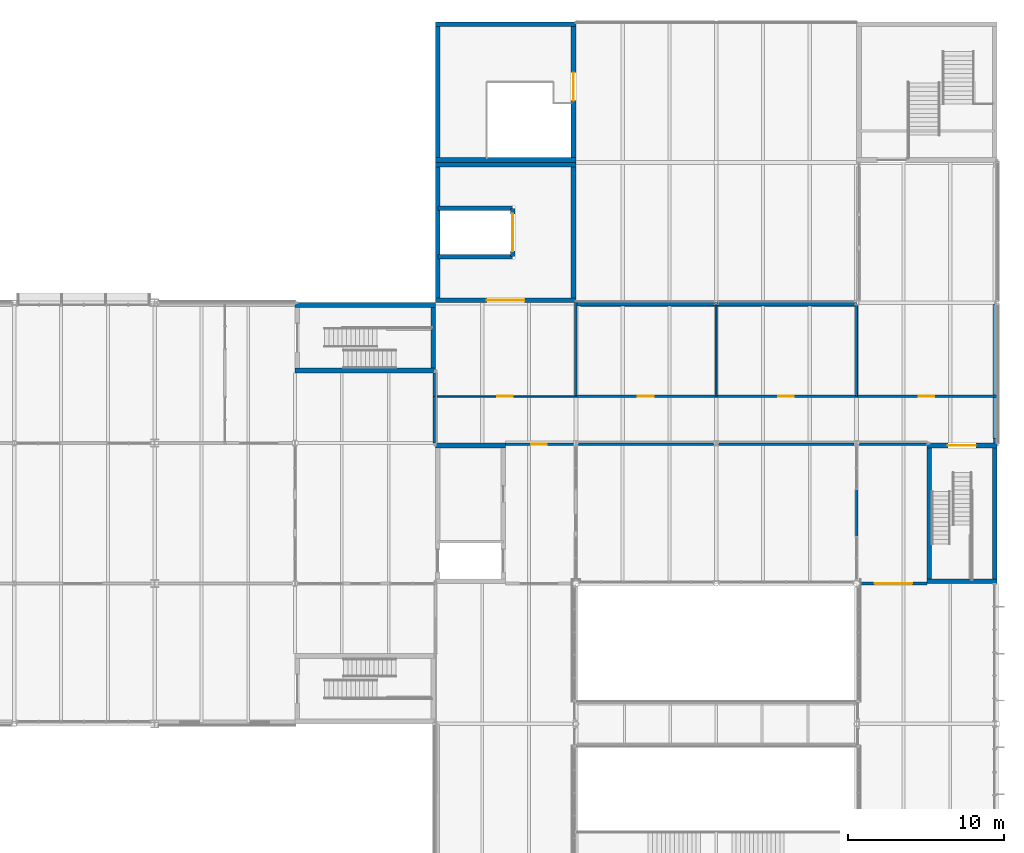
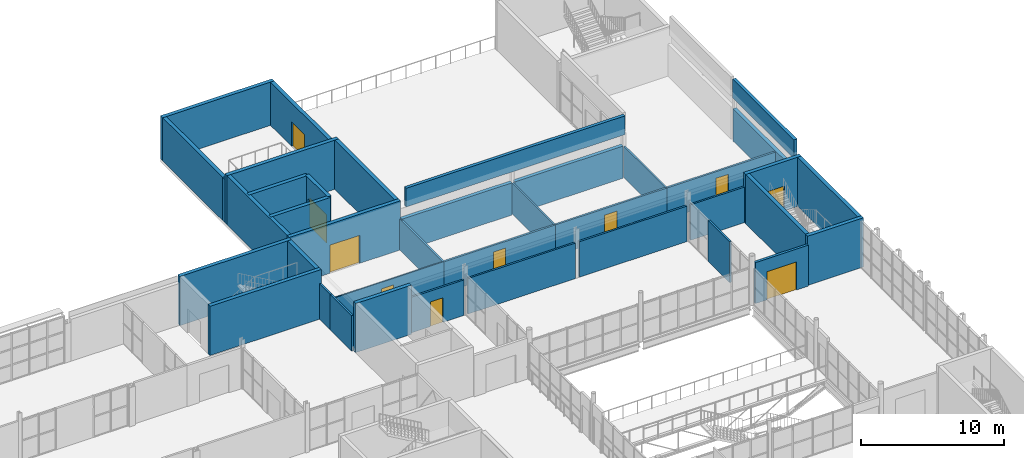
# One storey, part 44 of 61: 39 walls, 10 doors, 10 openings.
"""IFC4 building model written with IfcOpenShell, lengths in metres."""

from ifc_helpers import new_model, si_unit, direction, frame, frame_2d, origin, place, context, subcontext, project, spatial, rectangle, extrude, material, layer, layer_set, type_object, element, fill, save


model = new_model("IFC4")

# Units and contexts
model_context = context("Model", 3, precision=1e-05, world=origin(), true_north=direction((0.0, 1.0)))
body_context = subcontext(model_context, "Body", "Model", "MODEL_VIEW")
ifc_project = project(units=[si_unit("LENGTHUNIT", "METRE"), si_unit("AREAUNIT", "SQUARE_METRE"), si_unit("VOLUMEUNIT", "CUBIC_METRE"), si_unit("PLANEANGLEUNIT", "RADIAN"), si_unit("MASSUNIT", "GRAM", prefix="KILO")], contexts=[model_context])

# Site, building, storey
site_placement = place(None, origin())
site = spatial("IfcSite", under=ifc_project, at=site_placement, CompositionType="ELEMENT")
building_placement = place(site_placement, origin())
building = spatial("IfcBuilding", under=site, at=building_placement, Name="Halyard Row Museum", CompositionType="ELEMENT")
storey_placement = place(building_placement, frame((0.0, 0.0, 9.199951171875)))
storey = spatial("IfcBuildingStorey", under=building, at=storey_placement, Name="L02", CompositionType="ELEMENT", Elevation=9.199951171875)

# Walls
ifc_material_1 = material(Name="Fire-resisting plasterboard on steel studs", Category="steel")
ifc_layer_1 = layer(ifc_material_1, 0.14990234375)
ifc_layer_set_1 = layer_set([ifc_layer_1], Name="Fire-resisting plasterboard on steel studs")
wall_type_1 = type_object("IfcWallType", Name="Compartment wall 150 fire rated", PredefinedType="PARTITIONING", material=ifc_layer_set_1)
wall_1_placement = place(storey_placement, frame((71.925048828125, 36.0, 0.0), z_axis=(0.0, 0.0, 1.0), x_axis=(0.0, 1.0, 0.0)))
element("IfcWall", 1, at=wall_1_placement, inside=storey, type_object=wall_type_1, Name="Partition Lift Lobby L02 West / Service Corridor L02", PredefinedType="PARTITIONING", context=body_context, shape_type="SweptSolid", body=[
    extrude(rectangle(XDim=3.0, YDim=0.14990234375, at=frame_2d((1.5, 0.0))), origin(), (0.0, 0.0, 1.0), 3.03515625),
])
wall_2_placement = place(storey_placement, frame((71.925048828125, 39.0, 0.0), z_axis=(0.0, 0.0, 1.0), x_axis=(0.0, 1.0, 0.0)))
element("IfcWall", 2, at=wall_2_placement, inside=storey, type_object=wall_type_1, Name="Partition Lift Lobby L02 West / Goods Lobby L02", PredefinedType="PARTITIONING", context=body_context, shape_type="SweptSolid", body=[
    extrude(rectangle(XDim=1.5, YDim=0.14990234375, at=frame_2d((0.75, 0.0))), origin(), (0.0, 0.0, 1.0), 3.03515625),
])

# Wall, opening, door
wall_3_placement = place(storey_placement, frame((76.5, 35.925048828125, 0.0), z_axis=(0.0, 0.0, 1.0), x_axis=(1.0, 0.0, 0.0)))
wall_3 = element("IfcWall", 3, at=wall_3_placement, inside=storey, type_object=wall_type_1, Name="Partition Lift Lobby L02 East / Service Corridor L02", PredefinedType="PARTITIONING", context=body_context, shape_type="SweptSolid", body=[
    extrude(rectangle(XDim=4.345458984375, YDim=0.14990234375, at=frame_2d((2.1728515625, 0.0))), origin(), (0.0, 0.0, 1.0), 3.03515625),
])
opening_1_placement = place(wall_3_placement, frame((1.641357421875, 0.0, 0.0)))
opening_1 = element("IfcOpeningElement", 4, at=opening_1_placement, cuts=wall_3, Name="Opening DL02-024", PredefinedType="OPENING", context=body_context, shape_type="SweptSolid", body=[
    extrude(rectangle(XDim=1.0, YDim=2.10009765625, at=frame_2d((0.5, 1.050048828125))), frame((0.0, 0.0849609375, 0.0), z_axis=(0.0, -1.0, 0.0), x_axis=(1.0, 0.0, 0.0)), (0.0, 0.0, 1.0), 0.169921875),
])
ifc_material_2 = material(Name="Fire-resisting timber door leaf and steel frame", Category="steel")
door_type_1 = type_object("IfcDoorType", Name="Compartment door 1000 x 2100 fire rated", OperationType="NOTDEFINED", PredefinedType="DOOR", material=ifc_material_2)
door_1_placement = place(opening_1_placement, origin())
door_1 = element("IfcDoor", 5, at=door_1_placement, inside=storey, type_object=door_type_1, Name="Door Lift Lobby L02 East to Service Corridor L02", OperationType="SINGLE_SWING_RIGHT", OverallHeight=2.10009765625, OverallWidth=1.0, PredefinedType="DOOR", context=body_context, shape_type="SweptSolid", body=[
    extrude(rectangle(XDim=1.0, YDim=2.10009765625, at=frame_2d((0.5, 1.050048828125))), frame((0.0, 0.02490234375, 0.0), z_axis=(0.0, -1.0, 0.0), x_axis=(1.0, 0.0, 0.0)), (0.0, 0.0, 1.0), 0.050048828125),
])
fill(opening_1, door_1)

# Walls
wall_4_placement = place(storey_placement, frame((99.0, 30.021484375, 0.0), z_axis=(0.0, 0.0, 1.0), x_axis=(0.0, 1.0, 0.0)))
element("IfcWall", 6, at=wall_4_placement, inside=storey, type_object=wall_type_1, Name="Partition Digitisation Laboratory / Stair Lobby K2C L02", PredefinedType="PARTITIONING", context=body_context, shape_type="SweptSolid", body=[
    extrude(rectangle(XDim=3.0, YDim=0.14990234375, at=frame_2d((1.5, 0.0))), origin(), (0.0, 0.0, 1.0), 3.501953125),
])
for number, where, z_axis, x_axis, name in (
    (7, (81.154541015625, 35.925048828125, 0.0), (0.0, 0.0, 1.0), (1.0, 0.0, 0.0), "Partition Digitisation Laboratory / Service Corridor L02"),
    (8, (90.152587890625, 35.925048828125, 0.0), (0.0, 0.0, 1.0), (1.0, 0.0, 0.0), "Partition Digitisation Laboratory / Service Corridor L02"),
):
    element("IfcWall", number, at=place(storey_placement, frame(where, z_axis=z_axis, x_axis=x_axis)), inside=storey, type_object=wall_type_1, Name=name, PredefinedType="PARTITIONING", context=body_context, shape_type="SweptSolid", body=[
        extrude(rectangle(XDim=8.69287109375, YDim=0.14990234375, at=frame_2d((4.346435546875, 0.0))), origin(), (0.0, 0.0, 1.0), 3.03515625),
    ])
wall_5_placement = place(storey_placement, frame((99.154541015625, 35.925048828125, 0.0), z_axis=(0.0, 0.0, 1.0), x_axis=(1.0, 0.0, 0.0)))
element("IfcWall", 9, at=wall_5_placement, inside=storey, type_object=wall_type_1, Name="Partition Stair Lobby K2C L02 / Service Corridor L02", PredefinedType="PARTITIONING", context=body_context, shape_type="SweptSolid", body=[
    extrude(rectangle(XDim=4.345458984375, YDim=0.14990234375, at=frame_2d((2.1728515625, 0.0))), origin(), (0.0, 0.0, 1.0), 3.03515625),
])

# Wall, opening, door
wall_6_placement = place(storey_placement, frame((81.0, 39.0, 0.0), z_axis=(0.0, 0.0, 1.0), x_axis=(1.0, 0.0, 0.0)))
wall_6 = element("IfcWall", 10, at=wall_6_placement, inside=storey, type_object=wall_type_1, Name="Partition Service Corridor L02 / Staff Room", PredefinedType="PARTITIONING", context=body_context, shape_type="SweptSolid", body=[
    extrude(rectangle(XDim=9.0, YDim=0.14990234375, at=frame_2d((4.5, 0.0))), origin(), (0.0, 0.0, 1.0), 2.657958984375),
])
opening_2_placement = place(wall_6_placement, frame((3.985107421875, 0.0, 0.0)))
opening_2 = element("IfcOpeningElement", 11, at=opening_2_placement, cuts=wall_6, Name="Opening DL02-031", PredefinedType="OPENING", context=body_context, shape_type="SweptSolid", body=[
    extrude(rectangle(XDim=1.0, YDim=2.10009765625, at=frame_2d((0.5, 1.050048828125))), frame((0.0, 0.0849609375, 0.0), z_axis=(0.0, -1.0, 0.0), x_axis=(1.0, 0.0, 0.0)), (0.0, 0.0, 1.0), 0.169921875),
])
door_2_placement = place(opening_2_placement, origin())
door_2 = element("IfcDoor", 12, at=door_2_placement, inside=storey, type_object=door_type_1, Name="Door Staff Room to Service Corridor L02", OperationType="SINGLE_SWING_LEFT", OverallHeight=2.10009765625, OverallWidth=1.0, PredefinedType="DOOR", context=body_context, shape_type="SweptSolid", body=[
    extrude(rectangle(XDim=1.0, YDim=2.10009765625, at=frame_2d((0.5, 1.050048828125))), frame((0.0, 0.02490234375, 0.0), z_axis=(0.0, -1.0, 0.0), x_axis=(1.0, 0.0, 0.0)), (0.0, 0.0, 1.0), 0.050048828125),
])
fill(opening_2, door_2)

wall_7_placement = place(storey_placement, frame((90.0, 39.0, 0.0), z_axis=(0.0, 0.0, 1.0), x_axis=(1.0, 0.0, 0.0)))
wall_7 = element("IfcWall", 13, at=wall_7_placement, inside=storey, type_object=wall_type_1, Name="Partition Service Corridor L02 / Collections Care Offices", PredefinedType="PARTITIONING", context=body_context, shape_type="SweptSolid", body=[
    extrude(rectangle(XDim=9.0, YDim=0.14990234375, at=frame_2d((4.5, 0.0))), origin(), (0.0, 0.0, 1.0), 2.657958984375),
])
opening_3_placement = place(wall_7_placement, frame((3.985107421875, 0.0, 0.0)))
opening_3 = element("IfcOpeningElement", 14, at=opening_3_placement, cuts=wall_7, Name="Opening DL02-032", PredefinedType="OPENING", context=body_context, shape_type="SweptSolid", body=[
    extrude(rectangle(XDim=1.0, YDim=2.10009765625, at=frame_2d((0.5, 1.050048828125))), frame((0.0, 0.0849609375, 0.0), z_axis=(0.0, -1.0, 0.0), x_axis=(1.0, 0.0, 0.0)), (0.0, 0.0, 1.0), 0.169921875),
])
door_3_placement = place(opening_3_placement, origin())
door_3 = element("IfcDoor", 15, at=door_3_placement, inside=storey, type_object=door_type_1, Name="Door Collections Care Offices to Service Corridor L02", OperationType="SINGLE_SWING_RIGHT", OverallHeight=2.10009765625, OverallWidth=1.0, PredefinedType="DOOR", context=body_context, shape_type="SweptSolid", body=[
    extrude(rectangle(XDim=1.0, YDim=2.10009765625, at=frame_2d((0.5, 1.050048828125))), frame((0.0, 0.02490234375, 0.0), z_axis=(0.0, -1.0, 0.0), x_axis=(1.0, 0.0, 0.0)), (0.0, 0.0, 1.0), 0.050048828125),
])
fill(opening_3, door_3)

wall_8_placement = place(storey_placement, frame((99.0, 39.0, 0.0), z_axis=(0.0, 0.0, 1.0), x_axis=(1.0, 0.0, 0.0)))
wall_8 = element("IfcWall", 16, at=wall_8_placement, inside=storey, type_object=wall_type_1, Name="Partition Service Corridor L02 / Stair Lobby K5B L02", PredefinedType="PARTITIONING", context=body_context, shape_type="SweptSolid", body=[
    extrude(rectangle(XDim=9.0, YDim=0.14990234375, at=frame_2d((4.5, 0.0))), origin(), (0.0, 0.0, 1.0), 2.657958984375),
])
opening_4_placement = place(wall_8_placement, frame((3.985107421875, 0.0, 0.0)))
opening_4 = element("IfcOpeningElement", 17, at=opening_4_placement, cuts=wall_8, Name="Opening DL02-026", PredefinedType="OPENING", context=body_context, shape_type="SweptSolid", body=[
    extrude(rectangle(XDim=1.0, YDim=2.10009765625, at=frame_2d((0.5, 1.050048828125))), frame((0.0, 0.0849609375, 0.0), z_axis=(0.0, -1.0, 0.0), x_axis=(1.0, 0.0, 0.0)), (0.0, 0.0, 1.0), 0.169921875),
])
door_4_placement = place(opening_4_placement, origin())
door_4 = element("IfcDoor", 18, at=door_4_placement, inside=storey, type_object=door_type_1, Name="Door Service Corridor L02 to Stair Lobby K5B L02", OperationType="SINGLE_SWING_RIGHT", OverallHeight=2.10009765625, OverallWidth=1.0, PredefinedType="DOOR", context=body_context, shape_type="SweptSolid", body=[
    extrude(rectangle(XDim=1.0, YDim=2.10009765625, at=frame_2d((0.5, 1.050048828125))), frame((0.0, 0.02490234375, 0.0), z_axis=(0.0, -1.0, 0.0), x_axis=(1.0, 0.0, 0.0)), (0.0, 0.0, 1.0), 0.050048828125),
])
fill(opening_4, door_4)

# Wall
wall_9_placement = place(storey_placement, frame((81.0, 39.0, 0.0), z_axis=(0.0, 0.0, 1.0), x_axis=(0.0, 1.0, 0.0)))
element("IfcWall", 19, at=wall_9_placement, inside=storey, type_object=wall_type_1, Name="Partition Goods Lobby L02 / Staff Room", PredefinedType="PARTITIONING", context=body_context, shape_type="SweptSolid", body=[
    extrude(rectangle(XDim=6.0, YDim=0.14990234375, at=frame_2d((3.0, 0.0))), origin(), (0.0, 0.0, 1.0), 2.657958984375),
])

# Wall, opening, door
ifc_material_3 = material(Name="Concrete 40 MPa", Category="concrete")
ifc_layer_2 = layer(ifc_material_3, 0.300048828125)
ifc_layer_set_2 = layer_set([ifc_layer_2], Name="Concrete 40 MPa")
wall_type_2 = type_object("IfcWallType", Name="Core wall 300 lift shaft", PredefinedType="SOLIDWALL", material=ifc_layer_set_2)
wall_10_placement = place(storey_placement, frame((72.0, 45.14990234375, 0.0), z_axis=(0.0, 0.0, 1.0), x_axis=(1.0, 0.0, 0.0)))
wall_10 = element("IfcWall", 20, at=wall_10_placement, inside=storey, type_object=wall_type_2, Name="Core wall K8 S L02", PredefinedType="SOLIDWALL", context=body_context, shape_type="SweptSolid", body=[
    extrude(rectangle(XDim=9.0, YDim=0.300048828125, at=frame_2d((4.5, 0.0))), origin(), (0.0, 0.0, 1.0), 4.199951171875),
])
opening_5_placement = place(wall_10_placement, frame((3.300048828125, 0.0, 0.0)))
opening_5 = element("IfcOpeningElement", 21, at=opening_5_placement, cuts=wall_10, Name="Opening DL02-012", PredefinedType="OPENING", context=body_context, shape_type="SweptSolid", body=[
    extrude(rectangle(XDim=2.39990234375, YDim=2.39990234375, at=frame_2d((1.199951171875, 1.199951171875))), frame((0.0, 0.159912109375, 0.0), z_axis=(0.0, -1.0, 0.0), x_axis=(1.0, 0.0, 0.0)), (0.0, 0.0, 1.0), 0.320068359375),
])
ifc_material_4 = material(Name="Timber veneered door leaf and softwood frame", Category="wood")
door_type_2 = type_object("IfcDoorType", Name="Double door 2400 x 2400 gallery fire rated", OperationType="NOTDEFINED", PredefinedType="DOOR", material=ifc_material_4)
door_5_placement = place(opening_5_placement, frame((2.39990234375, 0.0, 0.0), z_axis=(0.0, 0.0, 1.0), x_axis=(-1.0, 0.0, 0.0)))
door_5 = element("IfcDoor", 22, at=door_5_placement, inside=storey, type_object=door_type_2, Name="Goods lobby door K8 L02", OperationType="DOUBLE_DOOR_SINGLE_SWING", OverallHeight=2.39990234375, OverallWidth=2.39990234375, PredefinedType="DOOR", context=body_context, shape_type="SweptSolid", body=[
    extrude(rectangle(XDim=2.39990234375, YDim=2.39990234375, at=frame_2d((1.199951171875, 1.199951171875))), frame((0.0, 0.02490234375, 0.0), z_axis=(0.0, -1.0, 0.0), x_axis=(1.0, 0.0, 0.0)), (0.0, 0.0, 1.0), 0.050048828125),
])
fill(opening_5, door_5)

# Walls
wall_11_placement = place(storey_placement, frame((80.85009765625, 45.300048828125, 0.0), z_axis=(0.0, 0.0, 1.0), x_axis=(0.0, 1.0, 0.0)))
element("IfcWall", 23, at=wall_11_placement, inside=storey, type_object=wall_type_2, Name="Core wall K8 E L02", PredefinedType="SOLIDWALL", context=body_context, shape_type="SweptSolid", body=[
    extrude(rectangle(XDim=8.39990234375, YDim=0.300048828125, at=frame_2d((4.199951171875, 0.0))), origin(), (0.0, 0.0, 1.0), 4.199951171875),
])
wall_12_placement = place(storey_placement, frame((72.0, 53.85009765625, 0.0), z_axis=(0.0, 0.0, 1.0), x_axis=(1.0, 0.0, 0.0)))
element("IfcWall", 24, at=wall_12_placement, inside=storey, type_object=wall_type_2, Name="Core wall K8 N L02", PredefinedType="SOLIDWALL", context=body_context, shape_type="SweptSolid", body=[
    extrude(rectangle(XDim=9.0, YDim=0.300048828125, at=frame_2d((4.5, 0.0))), origin(), (0.0, 0.0, 1.0), 4.199951171875),
])
wall_13_placement = place(storey_placement, frame((72.14990234375, 45.300048828125, 0.0), z_axis=(0.0, 0.0, 1.0), x_axis=(0.0, 1.0, 0.0)))
element("IfcWall", 25, at=wall_13_placement, inside=storey, type_object=wall_type_2, Name="Core wall K8 W L02", PredefinedType="SOLIDWALL", context=body_context, shape_type="SweptSolid", body=[
    extrude(rectangle(XDim=8.39990234375, YDim=0.300048828125, at=frame_2d((4.199951171875, 0.0))), origin(), (0.0, 0.0, 1.0), 4.199951171875),
])

# Wall, opening, door
wall_14_placement = place(storey_placement, frame((76.949951171875, 47.949951171875, 0.0), z_axis=(0.0, 0.0, 1.0), x_axis=(0.0, 1.0, 0.0)))
wall_14 = element("IfcWall", 26, at=wall_14_placement, inside=storey, type_object=wall_type_2, Name="Shaft wall GL1 front L02", PredefinedType="SOLIDWALL", context=body_context, shape_type="SweptSolid", body=[
    extrude(rectangle(XDim=3.10009765625, YDim=0.300048828125, at=frame_2d((1.550048828125, 0.0))), origin(), (0.0, 0.0, 1.0), 4.199951171875),
])
opening_6_placement = place(wall_14_placement, frame((0.35009765625, 0.0, 0.0)))
opening_6 = element("IfcOpeningElement", 27, at=opening_6_placement, cuts=wall_14, Name="Opening LDGL1-L02", PredefinedType="OPENING", context=body_context, shape_type="SweptSolid", body=[
    extrude(rectangle(XDim=2.39990234375, YDim=2.39990234375, at=frame_2d((1.199951171875, 1.199951171875))), frame((0.0, 0.159912109375, 0.0), z_axis=(0.0, -1.0, 0.0), x_axis=(1.0, 0.0, 0.0)), (0.0, 0.0, 1.0), 0.320068359375),
])
ifc_material_5 = material(Name="Stainless steel sliding car and landing doors", Category="steel")
door_type_3 = type_object("IfcDoorType", Name="Lift landing door 2400 x 2400", OperationType="SLIDING_TO_LEFT", PredefinedType="DOOR", material=ifc_material_5)
door_6_placement = place(opening_6_placement, origin())
door_6 = element("IfcDoor", 28, at=door_6_placement, inside=storey, type_object=door_type_3, Name="Landing door GL1 L02", OperationType="DOUBLE_DOOR_SLIDING", OverallHeight=2.39990234375, OverallWidth=2.39990234375, PredefinedType="DOOR", context=body_context, shape_type="SweptSolid", body=[
    extrude(rectangle(XDim=2.39990234375, YDim=2.39990234375, at=frame_2d((1.199951171875, 1.199951171875))), frame((0.0, 0.02490234375, 0.0), z_axis=(0.0, -1.0, 0.0), x_axis=(1.0, 0.0, 0.0)), (0.0, 0.0, 1.0), 0.050048828125),
])
fill(opening_6, door_6)

# Walls
for number, where, z_axis, x_axis, name in (
    (29, (72.14990234375, 47.949951171875, 0.0), (0.0, 0.0, 1.0), (1.0, 0.0, 0.0), "Shaft wall GL1 A L02"),
    (30, (72.14990234375, 51.050048828125, 0.0), (0.0, 0.0, 1.0), (1.0, 0.0, 0.0), "Shaft wall GL1 B L02"),
):
    element("IfcWall", number, at=place(storey_placement, frame(where, z_axis=z_axis, x_axis=x_axis)), inside=storey, type_object=wall_type_2, Name=name, PredefinedType="SOLIDWALL", context=body_context, shape_type="SweptSolid", body=[
        extrude(rectangle(XDim=4.800048828125, YDim=0.300048828125, at=frame_2d((2.39990234375, 0.0))), origin(), (0.0, 0.0, 1.0), 4.199951171875),
    ])
wall_15_placement = place(storey_placement, frame((72.0, 35.85009765625, 0.0), z_axis=(0.0, 0.0, 1.0), x_axis=(1.0, 0.0, 0.0)))
element("IfcWall", 31, at=wall_15_placement, inside=storey, type_object=wall_type_2, Name="Core wall K7 N L02", PredefinedType="SOLIDWALL", context=body_context, shape_type="SweptSolid", body=[
    extrude(rectangle(XDim=4.5, YDim=0.300048828125, at=frame_2d((2.25, 0.0))), origin(), (0.0, 0.0, 1.0), 4.199951171875),
])
ifc_material_6 = material(Name="Concrete 40 MPa", Category="concrete")
ifc_layer_3 = layer(ifc_material_6, 0.300048828125)
ifc_layer_set_3 = layer_set([ifc_layer_3], Name="Concrete 40 MPa")
wall_type_3 = type_object("IfcWallType", Name="Exitway wall 300 reinforced concrete", PredefinedType="SOLIDWALL", material=ifc_layer_set_3)
wall_16_placement = place(storey_placement, frame((63.0, 40.64990234375, 0.0), z_axis=(0.0, 0.0, 1.0), x_axis=(1.0, 0.0, 0.0)))
element("IfcWall", 32, at=wall_16_placement, inside=storey, type_object=wall_type_3, Name="Core wall K1B S L02", PredefinedType="SOLIDWALL", context=body_context, shape_type="SweptSolid", body=[
    extrude(rectangle(XDim=9.0, YDim=0.300048828125, at=frame_2d((4.5, 0.0))), origin(), (0.0, 0.0, 1.0), 4.199951171875),
])
wall_17_placement = place(storey_placement, frame((71.85009765625, 40.800048828125, 0.0), z_axis=(0.0, 0.0, 1.0), x_axis=(0.0, 1.0, 0.0)))
element("IfcWall", 33, at=wall_17_placement, inside=storey, type_object=wall_type_3, Name="Core wall K1B E L02", PredefinedType="SOLIDWALL", context=body_context, shape_type="SweptSolid", body=[
    extrude(rectangle(XDim=3.89990234375, YDim=0.300048828125, at=frame_2d((1.949951171875, 0.0))), origin(), (0.0, 0.0, 1.0), 4.199951171875),
])
wall_18_placement = place(storey_placement, frame((63.0, 44.85009765625, 0.0), z_axis=(0.0, 0.0, 1.0), x_axis=(1.0, 0.0, 0.0)))
element("IfcWall", 34, at=wall_18_placement, inside=storey, type_object=wall_type_3, Name="Core wall K1B N L02", PredefinedType="SOLIDWALL", context=body_context, shape_type="SweptSolid", body=[
    extrude(rectangle(XDim=9.0, YDim=0.300048828125, at=frame_2d((4.5, 0.0))), origin(), (0.0, 0.0, 1.0), 4.199951171875),
])
wall_19_placement = place(storey_placement, frame((103.5, 27.14990234375, 0.0), z_axis=(0.0, 0.0, 1.0), x_axis=(1.0, 0.0, 0.0)))
element("IfcWall", 35, at=wall_19_placement, inside=storey, type_object=wall_type_3, Name="Core wall K2C S L02", PredefinedType="SOLIDWALL", context=body_context, shape_type="SweptSolid", body=[
    extrude(rectangle(XDim=4.5, YDim=0.300048828125, at=frame_2d((2.25, 0.0))), origin(), (0.0, 0.0, 1.0), 4.199951171875),
])
wall_20_placement = place(storey_placement, frame((107.85009765625, 27.300048828125, 0.0), z_axis=(0.0, 0.0, 1.0), x_axis=(0.0, 1.0, 0.0)))
element("IfcWall", 36, at=wall_20_placement, inside=storey, type_object=wall_type_3, Name="Core wall K2C E L02", PredefinedType="SOLIDWALL", context=body_context, shape_type="SweptSolid", body=[
    extrude(rectangle(XDim=8.39990234375, YDim=0.300048828125, at=frame_2d((4.199951171875, 0.0))), origin(), (0.0, 0.0, 1.0), 4.199951171875),
])

# Wall, opening, door
wall_21_placement = place(storey_placement, frame((103.5, 35.85009765625, 0.0), z_axis=(0.0, 0.0, 1.0), x_axis=(1.0, 0.0, 0.0)))
wall_21 = element("IfcWall", 37, at=wall_21_placement, inside=storey, type_object=wall_type_3, Name="Core wall K2C N L02", PredefinedType="SOLIDWALL", context=body_context, shape_type="SweptSolid", body=[
    extrude(rectangle(XDim=4.5, YDim=0.300048828125, at=frame_2d((2.25, 0.0))), origin(), (0.0, 0.0, 1.0), 4.199951171875),
])
opening_7_placement = place(wall_21_placement, frame((1.35009765625, 0.0, 0.0)))
opening_7 = element("IfcOpeningElement", 38, at=opening_7_placement, cuts=wall_21, Name="Opening DL02-007", PredefinedType="OPENING", context=body_context, shape_type="SweptSolid", body=[
    extrude(rectangle(XDim=1.800048828125, YDim=2.10009765625, at=frame_2d((0.89990234375, 1.050048828125))), frame((0.0, 0.159912109375, 0.0), z_axis=(0.0, -1.0, 0.0), x_axis=(1.0, 0.0, 0.0)), (0.0, 0.0, 1.0), 0.320068359375),
])
ifc_material_7 = material(Name="Fire-resisting timber door leaf and steel frame", Category="steel")
door_type_4 = type_object("IfcDoorType", Name="Exitway door 1800 x 2100 fire rated", OperationType="NOTDEFINED", PredefinedType="DOOR", material=ifc_material_7)
door_7_placement = place(opening_7_placement, frame((1.800048828125, 0.0, 0.0), z_axis=(0.0, 0.0, 1.0), x_axis=(-1.0, 0.0, 0.0)))
door_7 = element("IfcDoor", 39, at=door_7_placement, inside=storey, type_object=door_type_4, Name="Exitway door K2C L02", OperationType="DOUBLE_DOOR_SINGLE_SWING", OverallHeight=2.10009765625, OverallWidth=1.800048828125, PredefinedType="DOOR", context=body_context, shape_type="SweptSolid", body=[
    extrude(rectangle(XDim=1.800048828125, YDim=2.10009765625, at=frame_2d((0.89990234375, 1.050048828125))), frame((0.0, 0.02490234375, 0.0), z_axis=(0.0, -1.0, 0.0), x_axis=(1.0, 0.0, 0.0)), (0.0, 0.0, 1.0), 0.050048828125),
])
fill(opening_7, door_7)

# Walls
wall_22_placement = place(storey_placement, frame((103.64990234375, 27.300048828125, 0.0), z_axis=(0.0, 0.0, 1.0), x_axis=(0.0, 1.0, 0.0)))
element("IfcWall", 40, at=wall_22_placement, inside=storey, type_object=wall_type_3, Name="Core wall K2C W L02", PredefinedType="SOLIDWALL", context=body_context, shape_type="SweptSolid", body=[
    extrude(rectangle(XDim=8.39990234375, YDim=0.300048828125, at=frame_2d((4.199951171875, 0.0))), origin(), (0.0, 0.0, 1.0), 4.199951171875),
])
wall_23_placement = place(storey_placement, frame((72.0, 54.14990234375, 0.0), z_axis=(0.0, 0.0, 1.0), x_axis=(1.0, 0.0, 0.0)))
element("IfcWall", 41, at=wall_23_placement, inside=storey, type_object=wall_type_3, Name="Core wall K5A S L02", PredefinedType="SOLIDWALL", context=body_context, shape_type="SweptSolid", body=[
    extrude(rectangle(XDim=9.0, YDim=0.300048828125, at=frame_2d((4.5, 0.0))), origin(), (0.0, 0.0, 1.0), 3.699951171875),
])

# Wall, opening, door
wall_24_placement = place(storey_placement, frame((80.85009765625, 54.300048828125, 0.0), z_axis=(0.0, 0.0, 1.0), x_axis=(0.0, 1.0, 0.0)))
wall_24 = element("IfcWall", 42, at=wall_24_placement, inside=storey, type_object=wall_type_3, Name="Core wall K5A E L02", PredefinedType="SOLIDWALL", context=body_context, shape_type="SweptSolid", body=[
    extrude(rectangle(XDim=8.39990234375, YDim=0.300048828125, at=frame_2d((4.199951171875, 0.0))), origin(), (0.0, 0.0, 1.0), 3.699951171875),
])
opening_8_placement = place(wall_24_placement, frame((3.64990234375, 0.0, 0.0)))
opening_8 = element("IfcOpeningElement", 43, at=opening_8_placement, cuts=wall_24, Name="Opening DL02-010", PredefinedType="OPENING", context=body_context, shape_type="SweptSolid", body=[
    extrude(rectangle(XDim=1.800048828125, YDim=2.10009765625, at=frame_2d((0.89990234375, 1.050048828125))), frame((0.0, 0.159912109375, 0.0), z_axis=(0.0, -1.0, 0.0), x_axis=(1.0, 0.0, 0.0)), (0.0, 0.0, 1.0), 0.320068359375),
])
door_8_placement = place(opening_8_placement, origin())
door_8 = element("IfcDoor", 44, at=door_8_placement, inside=storey, type_object=door_type_4, Name="Exitway door K5A L02", OperationType="DOUBLE_DOOR_SINGLE_SWING", OverallHeight=2.10009765625, OverallWidth=1.800048828125, PredefinedType="DOOR", context=body_context, shape_type="SweptSolid", body=[
    extrude(rectangle(XDim=1.800048828125, YDim=2.10009765625, at=frame_2d((0.89990234375, 1.050048828125))), frame((0.0, 0.02490234375, 0.0), z_axis=(0.0, -1.0, 0.0), x_axis=(1.0, 0.0, 0.0)), (0.0, 0.0, 1.0), 0.050048828125),
])
fill(opening_8, door_8)

# Walls
wall_25_placement = place(storey_placement, frame((72.0, 62.85009765625, 0.0), z_axis=(0.0, 0.0, 1.0), x_axis=(1.0, 0.0, 0.0)))
element("IfcWall", 45, at=wall_25_placement, inside=storey, type_object=wall_type_3, Name="Core wall K5A N L02", PredefinedType="SOLIDWALL", context=body_context, shape_type="SweptSolid", body=[
    extrude(rectangle(XDim=9.0, YDim=0.300048828125, at=frame_2d((4.5, 0.0))), origin(), (0.0, 0.0, 1.0), 3.699951171875),
])
wall_26_placement = place(storey_placement, frame((72.14990234375, 54.300048828125, 0.0), z_axis=(0.0, 0.0, 1.0), x_axis=(0.0, 1.0, 0.0)))
element("IfcWall", 46, at=wall_26_placement, inside=storey, type_object=wall_type_3, Name="Core wall K5A W L02", PredefinedType="SOLIDWALL", context=body_context, shape_type="SweptSolid", body=[
    extrude(rectangle(XDim=8.39990234375, YDim=0.300048828125, at=frame_2d((4.199951171875, 0.0))), origin(), (0.0, 0.0, 1.0), 3.699951171875),
])

# Wall, opening, door
ifc_material_8 = material(Name="Plasterboard on steel studs with mineral wool", Category="steel")
ifc_layer_4 = layer(ifc_material_8, 0.199951171875)
ifc_layer_set_4 = layer_set([ifc_layer_4], Name="Plasterboard on steel studs with mineral wool")
wall_type_4 = type_object("IfcWallType", Name="Gallery wall 200 double stud fire rated", PredefinedType="PARTITIONING", material=ifc_layer_set_4)
wall_27_placement = place(storey_placement, frame((99.203125, 27.0, 0.0), z_axis=(0.0, 0.0, 1.0), x_axis=(1.0, 0.0, 0.0)))
wall_27 = element("IfcWall", 47, at=wall_27_placement, inside=storey, type_object=wall_type_4, Name="Partition Permanent Gallery Photography / Stair Lobby K2C L02", PredefinedType="PARTITIONING", context=body_context, shape_type="SweptSolid", body=[
    extrude(rectangle(XDim=4.296875, YDim=0.199951171875, at=frame_2d((2.1484375, 0.0))), origin(), (0.0, 0.0, 1.0), 3.501953125),
])
opening_9_placement = place(wall_27_placement, frame((0.949951171875, 0.0, 0.0)))
opening_9 = element("IfcOpeningElement", 48, at=opening_9_placement, cuts=wall_27, Name="Opening DL02-023", PredefinedType="OPENING", context=body_context, shape_type="SweptSolid", body=[
    extrude(rectangle(XDim=2.39990234375, YDim=2.39990234375, at=frame_2d((1.199951171875, 1.199951171875))), frame((0.0, 0.10986328125, 0.0), z_axis=(0.0, -1.0, 0.0), x_axis=(1.0, 0.0, 0.0)), (0.0, 0.0, 1.0), 0.219970703125),
])
door_9_placement = place(opening_9_placement, frame((2.39990234375, 0.0, 0.0), z_axis=(0.0, 0.0, 1.0), x_axis=(-1.0, 0.0, 0.0)))
door_9 = element("IfcDoor", 49, at=door_9_placement, inside=storey, type_object=door_type_2, Name="Door Permanent Gallery Photography to Stair Lobby K2C L02", OperationType="DOUBLE_DOOR_SINGLE_SWING", OverallHeight=2.39990234375, OverallWidth=2.39990234375, PredefinedType="DOOR", context=body_context, shape_type="SweptSolid", body=[
    extrude(rectangle(XDim=2.39990234375, YDim=2.39990234375, at=frame_2d((1.199951171875, 1.199951171875))), frame((0.0, 0.02490234375, 0.0), z_axis=(0.0, -1.0, 0.0), x_axis=(1.0, 0.0, 0.0)), (0.0, 0.0, 1.0), 0.050048828125),
])
fill(opening_9, door_9)

# Walls
ifc_material_9 = material(Name="Pre-weathered zinc rainscreen on insulated steel-stud wall", Category="steel")
ifc_layer_5 = layer(ifc_material_9, 0.280029296875)
ifc_layer_set_5 = layer_set([ifc_layer_5], Name="Pre-weathered zinc rainscreen on insulated steel-stud wall")
wall_type_5 = type_object("IfcWallType", Name="Rainscreen wall 280 zinc-clad", PredefinedType="SOLIDWALL", material=ifc_layer_set_5)
wall_28_placement = place(storey_placement, frame((107.919921875, 36.0, 0.0), z_axis=(0.0, 0.0, 1.0), x_axis=(0.0, 1.0, 0.0)))
element("IfcWall", 50, at=wall_28_placement, inside=storey, type_object=wall_type_5, Name="Wall WL02-800", PredefinedType="SOLIDWALL", context=body_context, shape_type="SweptSolid", body=[
    extrude(rectangle(XDim=8.875, YDim=0.280029296875, at=frame_2d((4.4375, 0.0))), origin(), (0.0, 0.0, 1.0), 2.75),
])
wall_29_placement = place(storey_placement, frame((90.125, 44.919921875, 0.0), z_axis=(0.0, 0.0, 1.0), x_axis=(1.0, 0.0, 0.0)))
element("IfcWall", 51, at=wall_29_placement, inside=storey, type_object=wall_type_5, Name="Wall WL02-802", PredefinedType="SOLIDWALL", context=body_context, shape_type="SweptSolid", body=[
    extrude(rectangle(XDim=8.72509765625, YDim=0.280029296875, at=frame_2d((4.362548828125, 0.0))), origin(), (0.0, 0.0, 1.0), 2.75),
])
wall_30_placement = place(storey_placement, frame((81.0, 44.919921875, 0.0), z_axis=(0.0, 0.0, 1.0), x_axis=(1.0, 0.0, 0.0)))
element("IfcWall", 52, at=wall_30_placement, inside=storey, type_object=wall_type_5, Name="Wall WL02-803", PredefinedType="SOLIDWALL", context=body_context, shape_type="SweptSolid", body=[
    extrude(rectangle(XDim=8.875, YDim=0.280029296875, at=frame_2d((4.4375, 0.0))), origin(), (0.0, 0.0, 1.0), 2.75),
])
ifc_material_10 = material(Name="Precast concrete C40/50", Category="concrete")
ifc_layer_6 = layer(ifc_material_10, 0.25)
ifc_layer_set_6 = layer_set([ifc_layer_6], Name="Precast concrete C40/50")
wall_type_6 = type_object("IfcWallType", Name="Roof garden parapet 250 board-formed concrete", PredefinedType="PARAPET", material=ifc_layer_set_6)
wall_31_placement = place(storey_placement, frame((81.300048828125, 44.875, 3.699951171875), z_axis=(0.0, 0.0, 1.0), x_axis=(1.0, 0.0, 0.0)))
element("IfcWall", 53, at=wall_31_placement, inside=storey, type_object=wall_type_6, Name="Wall PAG-01", PredefinedType="PARAPET", context=body_context, shape_type="SweptSolid", body=[
    extrude(rectangle(XDim=17.699951171875, YDim=0.25, at=frame_2d((8.85009765625, 0.0))), origin(), (0.0, 0.0, 1.0), 1.60009765625),
])
wall_32_placement = place(storey_placement, frame((107.875, 36.300048828125, 3.699951171875), z_axis=(0.0, 0.0, 1.0), x_axis=(0.0, 1.0, 0.0)))
element("IfcWall", 54, at=wall_32_placement, inside=storey, type_object=wall_type_6, Name="Wall PAG-04", PredefinedType="PARAPET", context=body_context, shape_type="SweptSolid", body=[
    extrude(rectangle(XDim=8.574951171875, YDim=0.25, at=frame_2d((4.28759765625, 0.0))), origin(), (0.0, 0.0, 1.0), 1.60009765625),
])

# Wall, opening, door
ifc_material_11 = material(Name="Plasterboard on steel studs with mineral wool", Category="steel")
ifc_layer_7 = layer(ifc_material_11, 0.10009765625)
ifc_layer_set_7 = layer_set([ifc_layer_7], Name="Plasterboard on steel studs with mineral wool")
wall_type_7 = type_object("IfcWallType", Name="Stud partition 100 fire rated", PredefinedType="PARTITIONING", material=ifc_layer_set_7)
wall_33_placement = place(storey_placement, frame((72.0, 39.0, 0.0), z_axis=(0.0, 0.0, 1.0), x_axis=(1.0, 0.0, 0.0)))
wall_33 = element("IfcWall", 55, at=wall_33_placement, inside=storey, type_object=wall_type_7, Name="Partition Service Corridor L02 / Goods Lobby L02", PredefinedType="PARTITIONING", context=body_context, shape_type="SweptSolid", body=[
    extrude(rectangle(XDim=9.0, YDim=0.10009765625, at=frame_2d((4.5, 0.0))), origin(), (0.0, 0.0, 1.0), 2.657958984375),
])
opening_10_placement = place(wall_33_placement, frame((3.949951171875, 0.0, 0.0)))
opening_10 = element("IfcOpeningElement", 56, at=opening_10_placement, cuts=wall_33, Name="Opening DL02-025", PredefinedType="OPENING", context=body_context, shape_type="SweptSolid", body=[
    extrude(rectangle(XDim=1.0, YDim=2.10009765625, at=frame_2d((0.5, 1.050048828125))), frame((0.0, 0.06005859375, 0.0), z_axis=(0.0, -1.0, 0.0), x_axis=(1.0, 0.0, 0.0)), (0.0, 0.0, 1.0), 0.1201171875),
])
ifc_material_12 = material(Name="Timber veneered door leaf and softwood frame", Category="wood")
door_type_5 = type_object("IfcDoorType", Name="Single door 1000 x 2100 fire rated", OperationType="NOTDEFINED", PredefinedType="DOOR", material=ifc_material_12)
door_10_placement = place(opening_10_placement, frame((1.0, 0.0, 0.0), z_axis=(0.0, 0.0, 1.0), x_axis=(-1.0, 0.0, 0.0)))
door_10 = element("IfcDoor", 57, at=door_10_placement, inside=storey, type_object=door_type_5, Name="Door Service Corridor L02 to Goods Lobby L02", OperationType="SINGLE_SWING_RIGHT", OverallHeight=2.10009765625, OverallWidth=1.0, PredefinedType="DOOR", context=body_context, shape_type="SweptSolid", body=[
    extrude(rectangle(XDim=1.0, YDim=2.10009765625, at=frame_2d((0.5, 1.050048828125))), frame((0.0, 0.02490234375, 0.0), z_axis=(0.0, -1.0, 0.0), x_axis=(1.0, 0.0, 0.0)), (0.0, 0.0, 1.0), 0.050048828125),
])
fill(opening_10, door_10)

# Walls
ifc_material_13 = material(Name="Plasterboard on steel studs with mineral wool", Category="steel")
ifc_layer_8 = layer(ifc_material_13, 0.125)
ifc_layer_set_8 = layer_set([ifc_layer_8], Name="Plasterboard on steel studs with mineral wool")
wall_type_8 = type_object("IfcWallType", Name="Stud partition 125", PredefinedType="PARTITIONING", material=ifc_layer_set_8)
wall_34_placement = place(storey_placement, frame((90.0, 39.0, 0.0), z_axis=(0.0, 0.0, 1.0), x_axis=(0.0, 1.0, 0.0)))
element("IfcWall", 58, at=wall_34_placement, inside=storey, type_object=wall_type_8, Name="Partition Staff Room / Collections Care Offices", PredefinedType="PARTITIONING", context=body_context, shape_type="SweptSolid", body=[
    extrude(rectangle(XDim=5.875, YDim=0.125, at=frame_2d((2.9375, 0.0))), origin(), (0.0, 0.0, 1.0), 2.657958984375),
])
ifc_material_14 = material(Name="Plasterboard on steel studs with mineral wool", Category="steel")
ifc_layer_9 = layer(ifc_material_14, 0.125)
ifc_layer_set_9 = layer_set([ifc_layer_9], Name="Plasterboard on steel studs with mineral wool")
wall_type_9 = type_object("IfcWallType", Name="Stud partition 125 fire rated", PredefinedType="PARTITIONING", material=ifc_layer_set_9)
wall_35_placement = place(storey_placement, frame((99.0, 39.0, 0.0), z_axis=(0.0, 0.0, 1.0), x_axis=(0.0, 1.0, 0.0)))
element("IfcWall", 59, at=wall_35_placement, inside=storey, type_object=wall_type_9, Name="Partition Collections Care Offices / Stair Lobby K5B L02", PredefinedType="PARTITIONING", context=body_context, shape_type="SweptSolid", body=[
    extrude(rectangle(XDim=5.85009765625, YDim=0.125, at=frame_2d((2.925048828125, 0.0))), origin(), (0.0, 0.0, 1.0), 2.657958984375),
])

save(model, "model.ifc")
